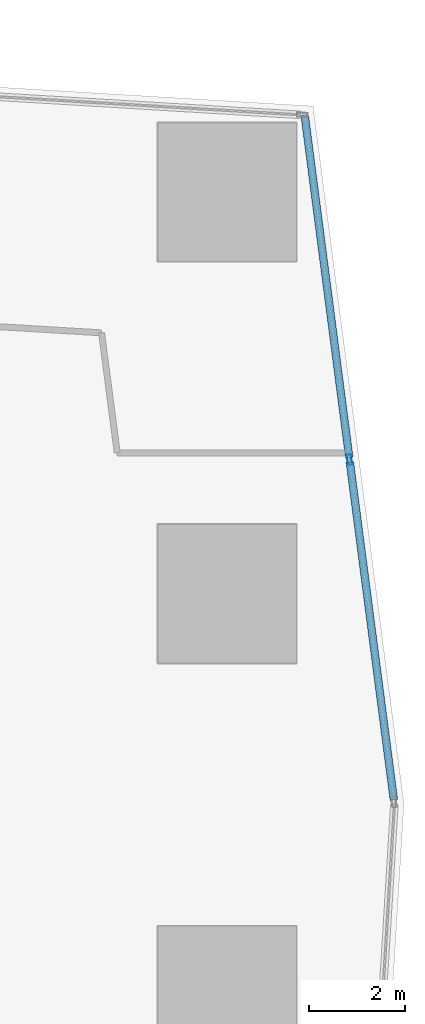
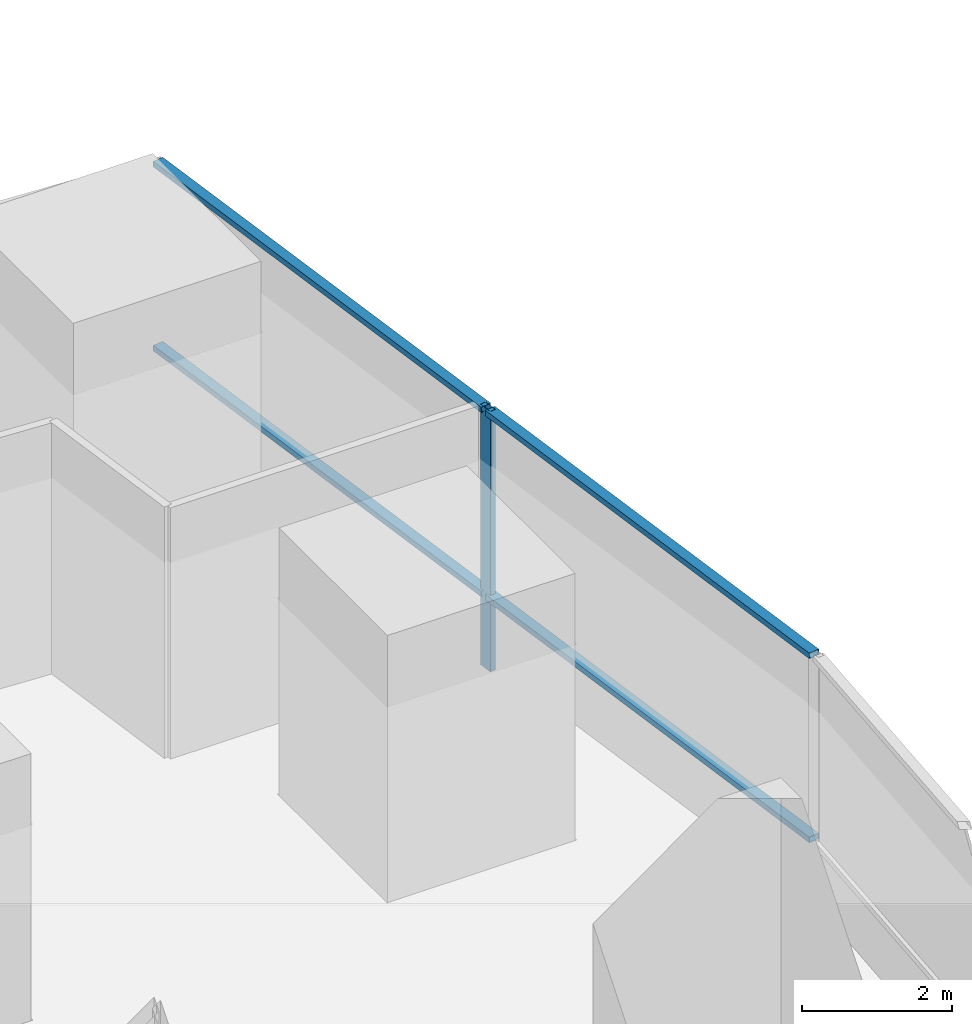
# One storey, part 16 of 44: 5 members, 1 element without a shape of its own.
"""IFC4 building model written with IfcOpenShell, lengths in metres."""

from ifc_helpers import new_model, si_unit, direction, frame, origin, origin_2d, place, context, subcontext, project, spatial, hollow_rectangle, extrude, material, material_profile, profile_set, type_object, element, aggregate, save


model = new_model("IFC4")

# Units and contexts
model_context = context("Model", 3, precision=1e-05, world=origin(), true_north=direction((0.0, 1.0)))
body_context = subcontext(model_context, "Body", "Model", "MODEL_VIEW")
ifc_project = project(units=[si_unit("LENGTHUNIT", "METRE"), si_unit("AREAUNIT", "SQUARE_METRE"), si_unit("VOLUMEUNIT", "CUBIC_METRE"), si_unit("PLANEANGLEUNIT", "RADIAN"), si_unit("MASSUNIT", "GRAM", prefix="KILO")], contexts=[model_context])

# Site, building, storey
site_placement = place(None, origin())
site = spatial("IfcSite", under=ifc_project, at=site_placement, CompositionType="ELEMENT")
building_placement = place(site_placement, origin())
building = spatial("IfcBuilding", under=site, at=building_placement, Name="Rekha Terrace Tower", CompositionType="ELEMENT")
storey_placement = place(building_placement, frame((0.0, 0.0, 90.800048828125)))
storey = spatial("IfcBuildingStorey", under=building, at=storey_placement, Name="L22", CompositionType="ELEMENT", Elevation=90.800048828125)

# Curtain wall, members
ifc_material_1 = material(Name="Aluminium framing", Category="aluminium")
curtain_wall_type = type_object("IfcCurtainWallType", Name="CW5 sky garden glazing", PredefinedType="USERDEFINED", material=ifc_material_1)
curtain_wall_placement = place(storey_placement, origin())
curtain_wall = element("IfcCurtainWall", 1, at=curtain_wall_placement, inside=storey, type_object=curtain_wall_type, Name="CW5 sky garden curtain wall", ObjectType="SKY GARDEN CURTAIN WALL", PredefinedType="USERDEFINED")
ifc_material_2 = material(Name="Aluminium mullion section", Category="aluminium")
ifc_material_profile_1 = material_profile(ifc_material_2, hollow_rectangle(XDim=0.090087890625, YDim=0.219970703125, WallThickness=0.00390625, at=origin_2d()), Name="AL RHS 90x220")
ifc_profile_set_1 = profile_set([ifc_material_profile_1], Name="Aluminium mullion section")
member_type_1 = type_object("IfcMemberType", Name="CW5 mullion RHS 90 x 220", PredefinedType="MULLION", material=ifc_profile_set_1)
member_1_placement = place(storey_placement, frame((69.76123046875, 53.205810546875, 0.0), z_axis=(0.0, 0.0, 1.0), x_axis=(-0.991629186248, -0.129118383589, 0.0)))
member_1 = element("IfcMember", 2, at=member_1_placement, type_object=member_type_1, Name="CW5 mullion 2", PredefinedType="MULLION", context=body_context, shape_type="SweptSolid", body=[
    extrude(hollow_rectangle(XDim=0.090087890625, YDim=0.219970703125, WallThickness=0.00390625, at=origin_2d()), origin(), (0.0, 0.0, 1.0), 4.25),
])
ifc_material_3 = material(Name="Aluminium transom section", Category="aluminium")
ifc_material_profile_2 = material_profile(ifc_material_3, hollow_rectangle(XDim=0.159912109375, YDim=0.090087890625, WallThickness=0.0029296875, at=origin_2d()), Name="AL RHS 160x90")
ifc_profile_set_2 = profile_set([ifc_material_profile_2], Name="Aluminium transom section")
member_type_2 = type_object("IfcMemberType", Name="CW5 transom RHS 90 x 160", PredefinedType="USERDEFINED", material=ifc_profile_set_2)
member_2_placement = place(storey_placement, frame((70.6875, 46.09033203125, 1.199951171875), z_axis=(-0.129115227234, 0.991629597227, 0.0), x_axis=(-0.991629597227, -0.129115227234, 0.0)))
member_2 = element("IfcMember", 3, at=member_2_placement, type_object=member_type_2, Name="CW5 transom 1.2", ObjectType="TRANSOM", PredefinedType="USERDEFINED", context=body_context, shape_type="SweptSolid", body=[
    extrude(hollow_rectangle(XDim=0.159912109375, YDim=0.090087890625, WallThickness=0.0029296875, at=origin_2d()), origin(), (0.0, 0.0, 1.0), 7.13037109375),
])
member_3_placement = place(storey_placement, frame((70.6875, 46.09033203125, 4.204833984375), z_axis=(-0.129115227234, 0.991629597227, 0.0), x_axis=(-0.991629597227, -0.129115227234, 0.0)))
member_3 = element("IfcMember", 4, at=member_3_placement, type_object=member_type_2, Name="CW5 transom 1.3", ObjectType="TRANSOM", PredefinedType="USERDEFINED", context=body_context, shape_type="SweptSolid", body=[
    extrude(hollow_rectangle(XDim=0.159912109375, YDim=0.090087890625, WallThickness=0.0029296875, at=origin_2d()), origin(), (0.0, 0.0, 1.0), 7.13037109375),
])
member_4_placement = place(storey_placement, frame((69.75537109375, 53.250244140625, 1.199951171875), z_axis=(-0.12913102519, 0.991627540125, 0.0), x_axis=(-0.991627540125, -0.12913102519, 0.0)))
member_4 = element("IfcMember", 5, at=member_4_placement, type_object=member_type_2, Name="CW5 transom 2.2", ObjectType="TRANSOM", PredefinedType="USERDEFINED", context=body_context, shape_type="SweptSolid", body=[
    extrude(hollow_rectangle(XDim=0.159912109375, YDim=0.090087890625, WallThickness=0.0029296875, at=origin_2d()), origin(), (0.0, 0.0, 1.0), 7.220458984375),
])
member_5_placement = place(storey_placement, frame((69.75537109375, 53.250244140625, 4.204833984375), z_axis=(-0.12913102519, 0.991627540125, 0.0), x_axis=(-0.991627540125, -0.12913102519, 0.0)))
member_5 = element("IfcMember", 6, at=member_5_placement, type_object=member_type_2, Name="CW5 transom 2.3", ObjectType="TRANSOM", PredefinedType="USERDEFINED", context=body_context, shape_type="SweptSolid", body=[
    extrude(hollow_rectangle(XDim=0.159912109375, YDim=0.090087890625, WallThickness=0.0029296875, at=origin_2d()), origin(), (0.0, 0.0, 1.0), 7.220458984375),
])
aggregate(curtain_wall, [member_1, member_2, member_3, member_4, member_5])

save(model, "model.ifc")
